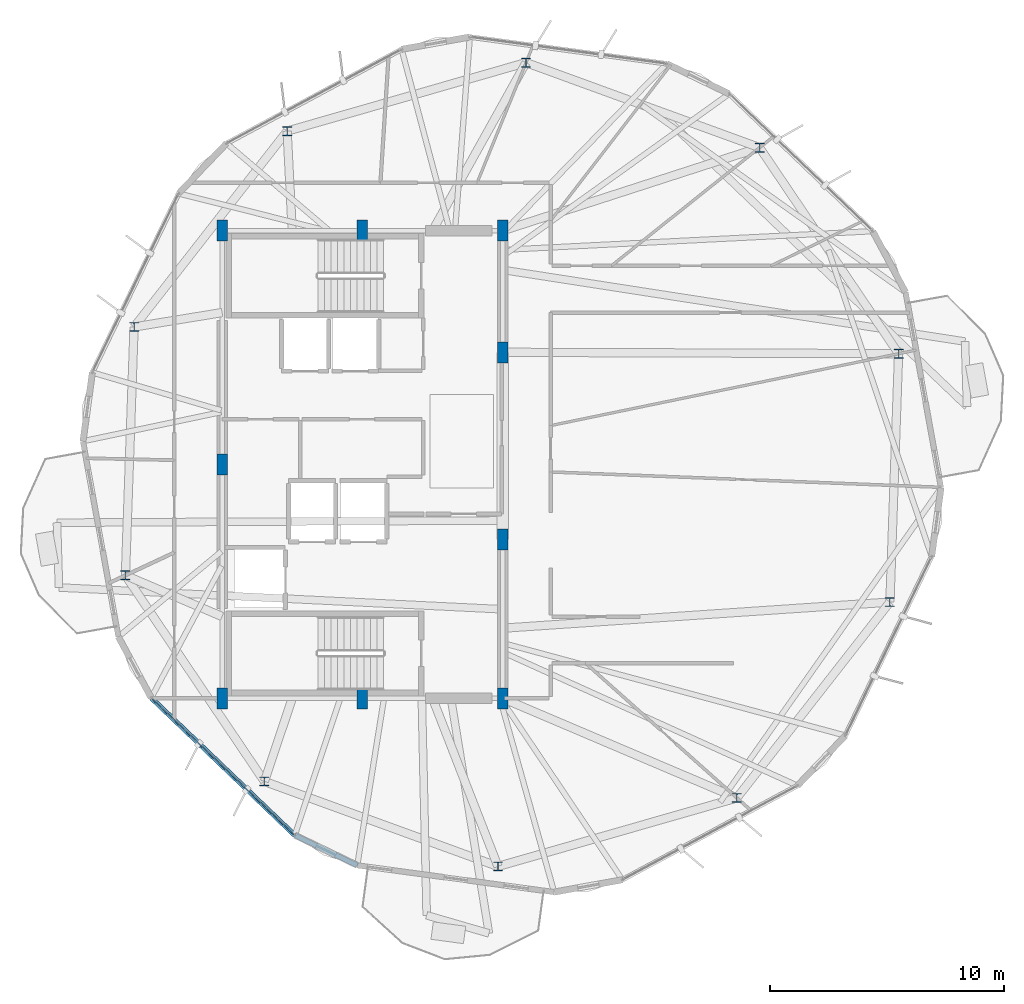
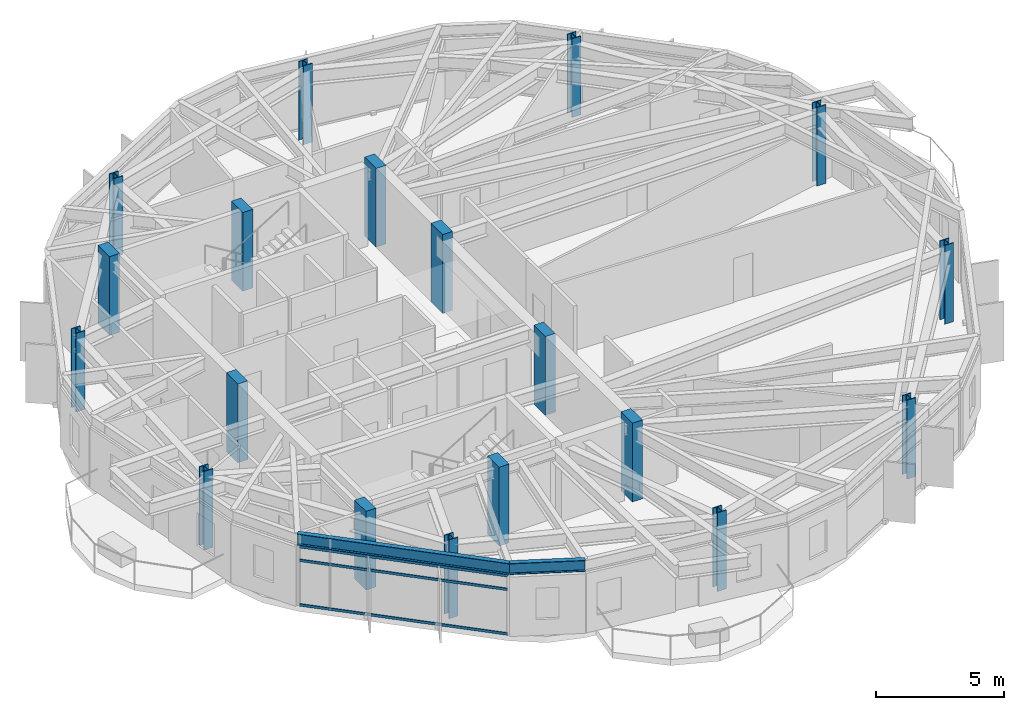
# One storey, part 1 of 26: 19 columns, 3 members, 2 beams, 1 element without a shape of its own.
"""IFC4 building model written with IfcOpenShell, lengths in metres."""

from ifc_helpers import new_model, si_unit, direction, frame, origin, origin_2d, place, context, subcontext, project, spatial, rectangle, hollow_rectangle, i_section, extrude, material, layer, layer_set, material_profile, profile_set, type_object, element, aggregate, save


model = new_model("IFC4")

# Units and contexts
model_context = context("Model", 3, precision=1e-05, world=origin(), true_north=direction((0.0, 1.0)))
body_context = subcontext(model_context, "Body", "Model", "MODEL_VIEW")
ifc_project = project(units=[si_unit("LENGTHUNIT", "METRE"), si_unit("AREAUNIT", "SQUARE_METRE"), si_unit("VOLUMEUNIT", "CUBIC_METRE"), si_unit("PLANEANGLEUNIT", "RADIAN"), si_unit("MASSUNIT", "GRAM", prefix="KILO")], contexts=[model_context])

# Site, building, storey
site_placement = place(None, origin())
site = spatial("IfcSite", under=ifc_project, at=site_placement, CompositionType="ELEMENT")
building_placement = place(site_placement, origin())
building = spatial("IfcBuilding", under=site, at=building_placement, Name="Soratama Intermodal Tower", CompositionType="ELEMENT")
storey_placement = place(building_placement, frame((0.0, 0.0, 268.75)))
storey = spatial("IfcBuildingStorey", under=building, at=storey_placement, Name="L68", CompositionType="ELEMENT", Elevation=268.75)

# Columns
ifc_material_1 = material(Name="Structural steel ASTM A992 Grade 50", Category="steel")
ifc_material_profile_1 = material_profile(ifc_material_1, i_section(OverallWidth=0.40087890625, OverallDepth=0.39892578125, WebThickness=0.02490234375, FlangeThickness=0.03955078125, FilletRadius=0.0380859375, at=origin_2d()), Name="W14X211")
ifc_profile_set_1 = profile_set([ifc_material_profile_1], Name="Structural steel ASTM A992 Grade 50")
column_type_1 = type_object("IfcColumnType", Name="COL-ZE-W14X211", PredefinedType="COLUMN", material=ifc_profile_set_1)
for number, where, z_axis, x_axis, name in (
    (1, (61.53369140625, 29.740966796875, 0.0), (0.0, 0.0, 1.0), (1.0, 0.0, 0.0), "L68 Tower Ring Column R01"),
    (2, (55.58935546875, 38.5537109375, 0.0), (0.0, 0.0, 1.0), (1.0, 0.0, 0.0), "L68 Tower Ring Column R02"),
    (3, (45.600341796875, 42.189453125, 0.0), (0.0, 0.0, 1.0), (1.0, 0.0, 0.0), "L68 Tower Ring Column R03"),
    (4, (35.3818359375, 39.259521484375, 0.0), (0.0, 0.0, 1.0), (1.0, 0.0, 0.0), "L68 Tower Ring Column R04"),
    (5, (28.83740234375, 30.8828125, 0.0), (0.0, 0.0, 1.0), (1.0, 0.0, 0.0), "L68 Tower Ring Column R05"),
    (6, (28.46630859375, 20.259033203125, 0.0), (0.0, 0.0, 1.0), (1.0, 0.0, 0.0), "L68 Tower Ring Column R06"),
    (7, (34.41064453125, 11.4462890625, 0.0), (0.0, 0.0, 1.0), (1.0, 0.0, 0.0), "L68 Tower Ring Column R07"),
    (8, (44.399658203125, 7.810546875, 0.0), (0.0, 0.0, 1.0), (1.0, 0.0, 0.0), "L68 Tower Ring Column R08"),
    (9, (54.6181640625, 10.740478515625, 0.0), (0.0, 0.0, 1.0), (1.0, 0.0, 0.0), "L68 Tower Ring Column R09"),
    (10, (61.16259765625, 19.1171875, 0.0), (0.0, 0.0, 1.0), (1.0, 0.0, 0.0), "L68 Tower Ring Column R10"),
):
    element("IfcColumn", number, at=place(storey_placement, frame(where, z_axis=z_axis, x_axis=x_axis)), inside=storey, type_object=column_type_1, Name=name, PredefinedType="COLUMN", context=body_context, shape_type="SweptSolid", body=[
        extrude(i_section(OverallWidth=0.40087890625, OverallDepth=0.39892578125, WebThickness=0.02490234375, FlangeThickness=0.03955078125, FilletRadius=0.0380859375, at=origin_2d()), origin(), (0.0, 0.0, 1.0), 3.75),
    ])
ifc_material_2 = material(Name="Concrete f'c 56 MPa", Category="concrete")
ifc_material_profile_2 = material_profile(ifc_material_2, rectangle(XDim=0.449951171875, YDim=0.89990234375, at=origin_2d()), Name="RC450X900")
ifc_profile_set_2 = profile_set([ifc_material_profile_2], Name="Concrete f'c 56 MPa")
column_type_2 = type_object("IfcColumnType", Name="PIL-CORE-450X900", PredefinedType="PILASTER", material=ifc_profile_set_2)
for number, where, z_axis, x_axis, name in (
    (11, (32.60009765625, 15.0, 0.0), (0.0, 0.0, 1.0), (1.0, 0.0, 0.0), "L68 Core Pilaster 1"),
    (12, (32.60009765625, 25.0, 0.0), (0.0, 0.0, 1.0), (1.0, 0.0, 0.0), "L68 Core Pilaster 2"),
    (13, (32.60009765625, 35.0, 0.0), (0.0, 0.0, 1.0), (1.0, 0.0, 0.0), "L68 Core Pilaster 3"),
    (14, (38.60009765625, 15.0, 0.0), (0.0, 0.0, 1.0), (1.0, 0.0, 0.0), "L68 Core Pilaster 4"),
    (15, (38.60009765625, 35.0, 0.0), (0.0, 0.0, 1.0), (1.0, 0.0, 0.0), "L68 Core Pilaster 5"),
    (16, (44.60009765625, 15.0, 0.0), (0.0, 0.0, 1.0), (1.0, 0.0, 0.0), "L68 Core Pilaster 6"),
    (17, (44.60009765625, 21.800048828125, 0.0), (0.0, 0.0, 1.0), (1.0, 0.0, 0.0), "L68 Core Pilaster 7"),
    (18, (44.60009765625, 29.800048828125, 0.0), (0.0, 0.0, 1.0), (1.0, 0.0, 0.0), "L68 Core Pilaster 8"),
    (19, (44.60009765625, 35.0, 0.0), (0.0, 0.0, 1.0), (1.0, 0.0, 0.0), "L68 Core Pilaster 9"),
):
    element("IfcColumn", number, at=place(storey_placement, frame(where, z_axis=z_axis, x_axis=x_axis)), inside=storey, type_object=column_type_2, Name=name, PredefinedType="PILASTER", context=body_context, shape_type="SweptSolid", body=[
        extrude(rectangle(XDim=0.449951171875, YDim=0.89990234375, at=origin_2d()), origin(), (0.0, 0.0, 1.0), 3.75),
    ])

# Beams
ifc_material_3 = material(Name="Structural steel ASTM A992 Grade 50", Category="steel")
ifc_material_profile_3 = material_profile(ifc_material_3, i_section(OverallWidth=0.2099609375, OverallDepth=0.537109375, WebThickness=0.010986328125, FlangeThickness=0.017333984375, FilletRadius=0.012939453125, at=origin_2d()), Name="W21X68")
ifc_profile_set_3 = profile_set([ifc_material_profile_3], Name="Structural steel ASTM A992 Grade 50")
beam_type = type_object("IfcBeamType", Name="BM-SPN-W21X68", PredefinedType="SPANDREL", material=ifc_profile_set_3)
beam_1_placement = place(storey_placement, frame((29.568115234375, 15.02001953125, 3.181396484375), z_axis=(0.722518325547, -0.691351769541, 0.0), x_axis=(0.691351769541, 0.722518325547, 0.0)))
element("IfcBeam", 20, at=beam_1_placement, inside=storey, type_object=beam_type, Name="BS-L68-F05", PredefinedType="SPANDREL", context=body_context, shape_type="SweptSolid", body=[
    extrude(i_section(OverallWidth=0.2099609375, OverallDepth=0.537109375, WebThickness=0.010986328125, FlangeThickness=0.017333984375, FilletRadius=0.012939453125, at=origin_2d()), origin(), (0.0, 0.0, 1.0), 8.499267578125),
])
beam_2_placement = place(storey_placement, frame((35.708984375, 9.14404296875, 3.181396484375), z_axis=(0.900673807124, -0.434495906954, 0.0), x_axis=(0.434495906954, 0.900673807124, 0.0)))
element("IfcBeam", 21, at=beam_2_placement, inside=storey, type_object=beam_type, Name="BS-L68-CRN05", PredefinedType="SPANDREL", context=body_context, shape_type="SweptSolid", body=[
    extrude(i_section(OverallWidth=0.2099609375, OverallDepth=0.537109375, WebThickness=0.010986328125, FlangeThickness=0.017333984375, FilletRadius=0.012939453125, at=origin_2d()), origin(), (0.0, 0.0, 1.0), 2.966796875),
])

# Curtain wall, members
ifc_material_4 = material(Name="Double-glazed aluminium curtain wall", Category="aluminium")
ifc_layer = layer(ifc_material_4, 0.159912109375)
ifc_layer_set = layer_set([ifc_layer], Name="Double-glazed aluminium curtain wall")
curtain_wall_type = type_object("IfcCurtainWallType", Name="CW-SYS-5", PredefinedType="NOTDEFINED", material=ifc_layer_set)
curtain_wall_placement = place(storey_placement, origin())
curtain_wall = element("IfcCurtainWall", 22, at=curtain_wall_placement, inside=storey, type_object=curtain_wall_type, Name="L68 Faceted Curtain Wall F05", PredefinedType="NOTDEFINED")
ifc_material_5 = material(Name="Anodised aluminium AA 6063-T6", Category="aluminium")
ifc_material_profile_4 = material_profile(ifc_material_5, hollow_rectangle(XDim=0.06005859375, YDim=0.1298828125, WallThickness=0.0048828125, InnerFilletRadius=0.0048828125, OuterFilletRadius=0.010009765625, at=origin_2d()), Name="CWT130X60X5")
ifc_profile_set_4 = profile_set([ifc_material_profile_4], Name="Anodised aluminium AA 6063-T6")
member_type = type_object("IfcMemberType", Name="TT-CWT-2", PredefinedType="USERDEFINED", material=ifc_profile_set_4)
member_1_placement = place(storey_placement, frame((29.61083984375, 14.97900390625, 0.030029296875), z_axis=(0.722493150804, -0.691378078218, 0.0), x_axis=(0.691378078218, 0.722493150804, 0.0)))
member_1 = element("IfcMember", 23, at=member_1_placement, type_object=member_type, Name="CW-5 transom 1.1", ObjectType="TRANSOM", PredefinedType="USERDEFINED", context=body_context, shape_type="SweptSolid", body=[
    extrude(hollow_rectangle(XDim=0.06005859375, YDim=0.1298828125, WallThickness=0.0048828125, InnerFilletRadius=0.0048828125, OuterFilletRadius=0.010009765625, at=origin_2d()), origin(), (0.0, 0.0, 1.0), 8.3798828125),
])
member_2_placement = place(storey_placement, frame((29.61083984375, 14.97900390625, 2.14990234375), z_axis=(0.722493150804, -0.691378078218, 0.0), x_axis=(0.691378078218, 0.722493150804, 0.0)))
member_2 = element("IfcMember", 24, at=member_2_placement, type_object=member_type, Name="CW-5 transom 1.2", ObjectType="TRANSOM", PredefinedType="USERDEFINED", context=body_context, shape_type="SweptSolid", body=[
    extrude(hollow_rectangle(XDim=0.06005859375, YDim=0.1298828125, WallThickness=0.0048828125, InnerFilletRadius=0.0048828125, OuterFilletRadius=0.010009765625, at=origin_2d()), origin(), (0.0, 0.0, 1.0), 8.3798828125),
])
member_3_placement = place(storey_placement, frame((29.61083984375, 14.97900390625, 2.799072265625), z_axis=(0.722493150804, -0.691378078218, 0.0), x_axis=(0.691378078218, 0.722493150804, 0.0)))
member_3 = element("IfcMember", 25, at=member_3_placement, type_object=member_type, Name="CW-5 transom 1.3", ObjectType="TRANSOM", PredefinedType="USERDEFINED", context=body_context, shape_type="SweptSolid", body=[
    extrude(hollow_rectangle(XDim=0.06005859375, YDim=0.1298828125, WallThickness=0.0048828125, InnerFilletRadius=0.0048828125, OuterFilletRadius=0.010009765625, at=origin_2d()), origin(), (0.0, 0.0, 1.0), 8.3798828125),
])
aggregate(curtain_wall, [member_1, member_2, member_3])

save(model, "model.ifc")
